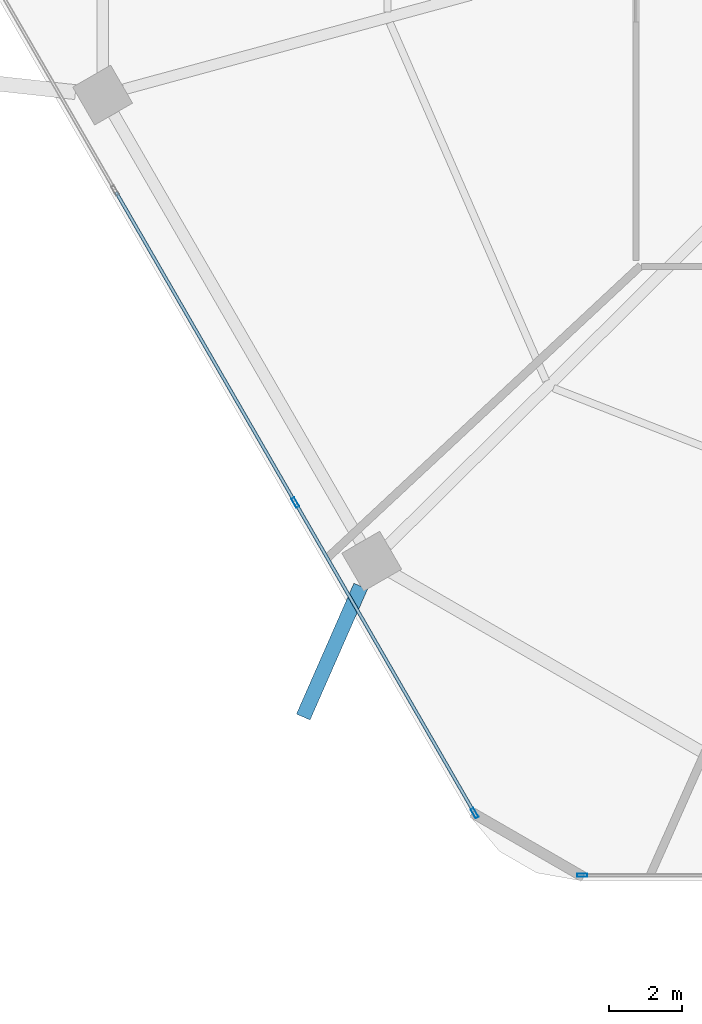
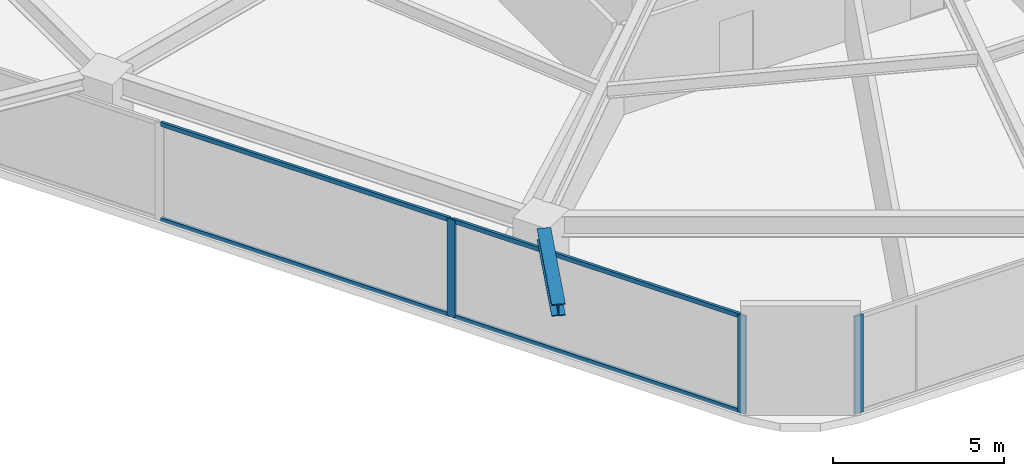
# One storey, part 2 of 25: 7 members, 1 beam, 2 elements without a shape of their own.
"""IFC4 building model written with IfcOpenShell, lengths in metres."""

from ifc_helpers import new_model, si_unit, direction, frame, origin, origin_2d, place, context, subcontext, project, spatial, hollow_rectangle, i_section, extrude, material, material_profile, profile_set, type_object, element, aggregate, save


model = new_model("IFC4")

# Units and contexts
model_context = context("Model", 3, precision=1e-05, world=origin(), true_north=direction((0.0, 1.0)))
body_context = subcontext(model_context, "Body", "Model", "MODEL_VIEW")
ifc_project = project(units=[si_unit("LENGTHUNIT", "METRE"), si_unit("AREAUNIT", "SQUARE_METRE"), si_unit("VOLUMEUNIT", "CUBIC_METRE"), si_unit("PLANEANGLEUNIT", "RADIAN"), si_unit("MASSUNIT", "GRAM", prefix="KILO")], contexts=[model_context])

# Site, building, storey
site_placement = place(None, origin())
site = spatial("IfcSite", under=ifc_project, at=site_placement, CompositionType="ELEMENT")
building_placement = place(site_placement, origin())
building = spatial("IfcBuilding", under=site, at=building_placement, Name="Zuhravey Tower", CompositionType="ELEMENT")
storey_placement = place(building_placement, frame((0.0, 0.0, 70.800048828125)))
storey = spatial("IfcBuildingStorey", under=building, at=storey_placement, Name="L17", CompositionType="ELEMENT", Elevation=70.800048828125)

# Curtain wall, member
ifc_material_1 = material(Name="Thermally broken anodised aluminium", Category="aluminium")
curtain_wall_type = type_object("IfcCurtainWallType", Name="School Low-E Unitised Curtain Wall CW1", PredefinedType="NOTDEFINED", material=ifc_material_1)
curtain_wall_1_placement = place(storey_placement, origin())
curtain_wall_1 = element("IfcCurtainWall", 1, at=curtain_wall_1_placement, inside=storey, type_object=curtain_wall_type, Name="L17 CW1 CW-L17-F5-1", PredefinedType="NOTDEFINED")
ifc_material_2 = material(Name="Anodised aluminium", Category="aluminium")
ifc_material_profile_1 = material_profile(ifc_material_2, hollow_rectangle(XDim=0.090087890625, YDim=0.284912109375, WallThickness=0.0048828125, at=origin_2d()), Name="ALU-RHS-90x285x5")
ifc_profile_set_1 = profile_set([ifc_material_profile_1], Name="Anodised aluminium")
member_type_1 = type_object("IfcMemberType", Name="Curtain-Wall Mullion 90x180", PredefinedType="MULLION", material=ifc_profile_set_1)
member_1_placement = place(storey_placement, frame((21.24560546875, 3.04150390625, 0.0), z_axis=(0.0, 0.0, 1.0), x_axis=(0.0, -1.0, 0.0)))
member_1 = element("IfcMember", 2, at=member_1_placement, type_object=member_type_1, Name="CW1 mullion 4", PredefinedType="MULLION", context=body_context, shape_type="SweptSolid", body=[
    extrude(hollow_rectangle(XDim=0.090087890625, YDim=0.284912109375, WallThickness=0.0048828125, at=origin_2d()), origin(), (0.0, 0.0, 1.0), 3.491943359375),
])
aggregate(curtain_wall_1, [member_1])

# Curtain wall, members
curtain_wall_2_placement = place(storey_placement, origin())
curtain_wall_2 = element("IfcCurtainWall", 3, at=curtain_wall_2_placement, inside=storey, type_object=curtain_wall_type, Name="L17 CW1 CW-L17-F4-1", PredefinedType="NOTDEFINED")
member_2_placement = place(storey_placement, frame((18.298583984375, 4.742919921875, 0.0), z_axis=(0.0, 0.0, 1.0), x_axis=(-0.86602552265, -0.499999794119, 0.0)))
member_2 = element("IfcMember", 4, at=member_2_placement, type_object=member_type_1, Name="CW1 mullion 1", PredefinedType="MULLION", context=body_context, shape_type="SweptSolid", body=[
    extrude(hollow_rectangle(XDim=0.090087890625, YDim=0.284912109375, WallThickness=0.0048828125, at=origin_2d()), origin(), (0.0, 0.0, 1.0), 3.491943359375),
])
member_3_placement = place(storey_placement, frame((13.387939453125, 13.24853515625, 0.0), z_axis=(0.0, 0.0, 1.0), x_axis=(-0.86602552265, -0.499999794119, 0.0)))
member_3 = element("IfcMember", 5, at=member_3_placement, type_object=member_type_1, Name="CW1 mullion 2", PredefinedType="MULLION", context=body_context, shape_type="SweptSolid", body=[
    extrude(hollow_rectangle(XDim=0.090087890625, YDim=0.284912109375, WallThickness=0.0048828125, at=origin_2d()), origin(), (0.0, 0.0, 1.0), 3.491943359375),
])
ifc_material_profile_2 = material_profile(ifc_material_2, hollow_rectangle(XDim=0.090087890625, YDim=0.14990234375, WallThickness=0.0048828125, at=origin_2d()), Name="ALU-RHS-90x150x5")
ifc_profile_set_2 = profile_set([ifc_material_profile_2], Name="Anodised aluminium")
member_type_2 = type_object("IfcMemberType", Name="Curtain-Wall Transom 90x150", PredefinedType="USERDEFINED", material=ifc_profile_set_2)
member_4_placement = place(storey_placement, frame((18.27587890625, 4.781982421875, 0.044921875), z_axis=(-0.499989576763, 0.86603142156, 0.0), x_axis=(-0.86603142156, -0.499989576763, 0.0)))
member_4 = element("IfcMember", 6, at=member_4_placement, type_object=member_type_2, Name="CW1 transom 1.1", ObjectType="TRANSOM", PredefinedType="USERDEFINED", context=body_context, shape_type="SweptSolid", body=[
    extrude(hollow_rectangle(XDim=0.090087890625, YDim=0.14990234375, WallThickness=0.0048828125, at=origin_2d()), origin(), (0.0, 0.0, 1.0), 9.731201171875),
])
member_5_placement = place(storey_placement, frame((18.27587890625, 4.781982421875, 3.447021484375), z_axis=(-0.499989576763, 0.86603142156, 0.0), x_axis=(-0.86603142156, -0.499989576763, 0.0)))
member_5 = element("IfcMember", 7, at=member_5_placement, type_object=member_type_2, Name="CW1 transom 1.2", ObjectType="TRANSOM", PredefinedType="USERDEFINED", context=body_context, shape_type="SweptSolid", body=[
    extrude(hollow_rectangle(XDim=0.090087890625, YDim=0.14990234375, WallThickness=0.0048828125, at=origin_2d()), origin(), (0.0, 0.0, 1.0), 9.731201171875),
])
member_6_placement = place(storey_placement, frame((13.365234375, 13.287353515625, 0.044921875), z_axis=(-0.499990498062, 0.866030889661, 0.0), x_axis=(-0.866030889661, -0.499990498062, 0.0)))
member_6 = element("IfcMember", 8, at=member_6_placement, type_object=member_type_2, Name="CW1 transom 2.1", ObjectType="TRANSOM", PredefinedType="USERDEFINED", context=body_context, shape_type="SweptSolid", body=[
    extrude(hollow_rectangle(XDim=0.090087890625, YDim=0.14990234375, WallThickness=0.0048828125, at=origin_2d()), origin(), (0.0, 0.0, 1.0), 9.776611328125),
])
member_7_placement = place(storey_placement, frame((13.365234375, 13.287353515625, 3.447021484375), z_axis=(-0.499990498062, 0.866030889661, 0.0), x_axis=(-0.866030889661, -0.499990498062, 0.0)))
member_7 = element("IfcMember", 9, at=member_7_placement, type_object=member_type_2, Name="CW1 transom 2.2", ObjectType="TRANSOM", PredefinedType="USERDEFINED", context=body_context, shape_type="SweptSolid", body=[
    extrude(hollow_rectangle(XDim=0.090087890625, YDim=0.14990234375, WallThickness=0.0048828125, at=origin_2d()), origin(), (0.0, 0.0, 1.0), 9.776611328125),
])
aggregate(curtain_wall_2, [member_2, member_3, member_4, member_5, member_6, member_7])

# Beam
ifc_material_3 = material(Name="Steel SM460", Category="steel")
ifc_material_profile_3 = material_profile(ifc_material_3, i_section(OverallWidth=0.406982421875, OverallDepth=0.427978515625, WebThickness=0.02001953125, FlangeThickness=0.034912109375, at=origin_2d()), Name="H-428x407x20x35")
ifc_profile_set_3 = profile_set([ifc_material_profile_3], Name="Steel SM460")
beam_type = type_object("IfcBeamType", Name="Exoskeleton Node Tie Beam H428x407", PredefinedType="BEAM", material=ifc_profile_set_3)
beam_placement = place(storey_placement, frame((15.179931640625, 10.9580078125, 3.7060546875), z_axis=(-0.402366403128, -0.915478715009, 0.0), x_axis=(0.915478715009, -0.402366403128, 0.0)))
element("IfcBeam", 10, at=beam_placement, inside=storey, type_object=beam_type, Name="L17 Exoskeleton Node Tie NT1-08", PredefinedType="BEAM", context=body_context, shape_type="SweptSolid", body=[
    extrude(i_section(OverallWidth=0.406982421875, OverallDepth=0.427978515625, WebThickness=0.02001953125, FlangeThickness=0.034912109375, at=origin_2d()), origin(), (0.0, 0.0, 1.0), 3.9130859375),
])

save(model, "model.ifc")
